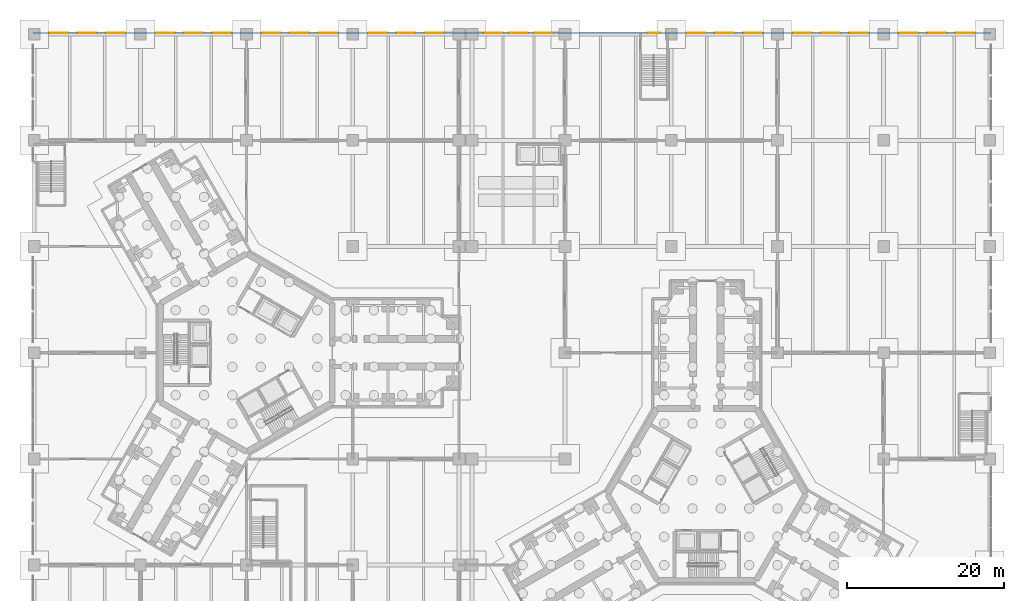
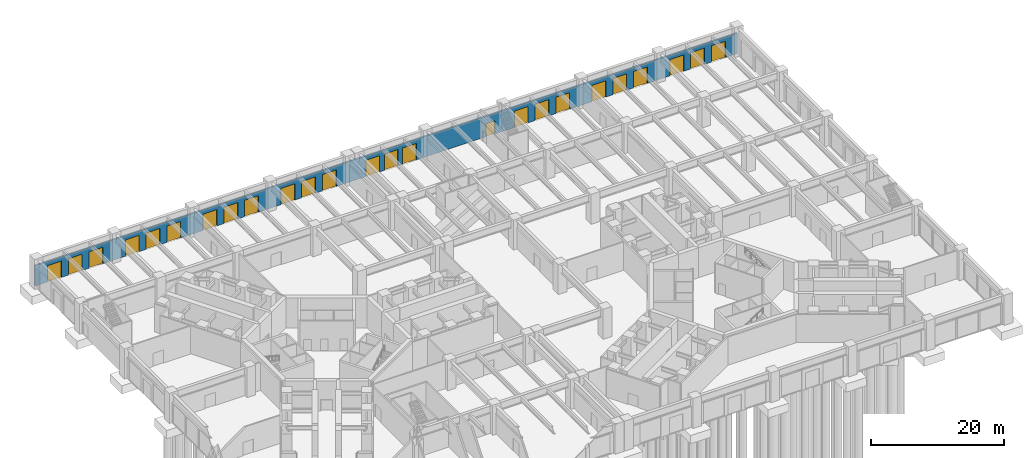
# One storey, part 14 of 18: 25 doors, 1 wall, 25 openings.
"""IFC4 building model written with IfcOpenShell, lengths in metres."""

from ifc_helpers import new_model, si_unit, direction, frame, frame_2d, origin, place, context, subcontext, project, spatial, rectangle, extrude, material, layer, layer_set, type_object, element, fill, save


model = new_model("IFC4")

# Units and contexts
model_context = context("Model", 3, precision=1e-05, world=origin(), true_north=direction((0.0, 1.0)))
body_context = subcontext(model_context, "Body", "Model", "MODEL_VIEW")
ifc_project = project(units=[si_unit("LENGTHUNIT", "METRE"), si_unit("AREAUNIT", "SQUARE_METRE"), si_unit("VOLUMEUNIT", "CUBIC_METRE"), si_unit("PLANEANGLEUNIT", "RADIAN"), si_unit("MASSUNIT", "GRAM", prefix="KILO")], contexts=[model_context])

# Site, building, storey
site_placement = place(None, origin())
site = spatial("IfcSite", under=ifc_project, at=site_placement, CompositionType="ELEMENT")
building_placement = place(site_placement, origin())
building = spatial("IfcBuilding", under=site, at=building_placement, Name="Upepo Twin Towers", CompositionType="ELEMENT")
storey_placement = place(building_placement, origin())
storey = spatial("IfcBuildingStorey", under=building, at=storey_placement, Name="L00", CompositionType="ELEMENT", Elevation=0.0)

# Wall, openings, doors
ifc_material_1 = material(Name="Blockwork with anodised aluminium cladding", Category="masonry")
ifc_layer = layer(ifc_material_1, 0.300048828125)
ifc_layer_set = layer_set([ifc_layer], Name="Podium street wall 300, pale metal")
wall_type = type_object("IfcWallType", Name="Podium street wall 300, pale metal", PredefinedType="STANDARD", material=ifc_layer_set)
wall_placement = place(storey_placement, frame((94.64990234375, 40.64990234375, 0.0), z_axis=(0.0, 0.0, 1.0), x_axis=(-1.0, 0.0, 0.0)))
wall = element("IfcWall", 1, at=wall_placement, inside=storey, type_object=wall_type, Name="Podium street wall N", PredefinedType="STANDARD", context=body_context, shape_type="SweptSolid", body=[
    extrude(rectangle(XDim=121.7998046875, YDim=0.300048828125, at=frame_2d((60.89990234375, 0.0))), origin(), (0.0, 0.0, 1.0), 3.75),
])
opening_1_placement = place(wall_placement, frame((42.050048828125, 0.0, 0.0)))
opening_1 = element("IfcOpeningElement", 2, at=opening_1_placement, cuts=wall, Name="Opening D16", PredefinedType="OPENING", context=body_context, shape_type="SweptSolid", body=[
    extrude(rectangle(XDim=1.60009765625, YDim=2.39990234375, at=frame_2d((0.800048828125, 1.199951171875))), frame((0.0, 0.159912109375, 0.0), z_axis=(0.0, -1.0, 0.0), x_axis=(1.0, 0.0, 0.0)), (0.0, 0.0, 1.0), 0.320068359375),
])
opening_2_placement = place(wall_placement, frame((2.10009765625, 0.0, 0.0)))
opening_2 = element("IfcOpeningElement", 3, at=opening_2_placement, cuts=wall, Name="Opening D7", PredefinedType="OPENING", context=body_context, shape_type="SweptSolid", body=[
    extrude(rectangle(XDim=2.39990234375, YDim=3.0, at=frame_2d((1.199951171875, 1.5))), frame((0.0, 0.159912109375, 0.0), z_axis=(0.0, -1.0, 0.0), x_axis=(1.0, 0.0, 0.0)), (0.0, 0.0, 1.0), 0.320068359375),
])
opening_3_placement = place(wall_placement, frame((5.699951171875, 0.0, 0.0)))
opening_3 = element("IfcOpeningElement", 4, at=opening_3_placement, cuts=wall, Name="Opening D7", PredefinedType="OPENING", context=body_context, shape_type="SweptSolid", body=[
    extrude(rectangle(XDim=2.39990234375, YDim=3.0, at=frame_2d((1.199951171875, 1.5))), frame((0.0, 0.159912109375, 0.0), z_axis=(0.0, -1.0, 0.0), x_axis=(1.0, 0.0, 0.0)), (0.0, 0.0, 1.0), 0.320068359375),
])
opening_4_placement = place(wall_placement, frame((9.300048828125, 0.0, 0.0)))
opening_4 = element("IfcOpeningElement", 5, at=opening_4_placement, cuts=wall, Name="Opening D7", PredefinedType="OPENING", context=body_context, shape_type="SweptSolid", body=[
    extrude(rectangle(XDim=2.39990234375, YDim=3.0, at=frame_2d((1.199951171875, 1.5))), frame((0.0, 0.159912109375, 0.0), z_axis=(0.0, -1.0, 0.0), x_axis=(1.0, 0.0, 0.0)), (0.0, 0.0, 1.0), 0.320068359375),
])
opening_5_placement = place(wall_placement, frame((15.60009765625, 0.0, 0.0)))
opening_5 = element("IfcOpeningElement", 6, at=opening_5_placement, cuts=wall, Name="Opening D7", PredefinedType="OPENING", context=body_context, shape_type="SweptSolid", body=[
    extrude(rectangle(XDim=2.39990234375, YDim=3.0, at=frame_2d((1.199951171875, 1.5))), frame((0.0, 0.159912109375, 0.0), z_axis=(0.0, -1.0, 0.0), x_axis=(1.0, 0.0, 0.0)), (0.0, 0.0, 1.0), 0.320068359375),
])
opening_6_placement = place(wall_placement, frame((19.199951171875, 0.0, 0.0)))
opening_6 = element("IfcOpeningElement", 7, at=opening_6_placement, cuts=wall, Name="Opening D7", PredefinedType="OPENING", context=body_context, shape_type="SweptSolid", body=[
    extrude(rectangle(XDim=2.39990234375, YDim=3.0, at=frame_2d((1.199951171875, 1.5))), frame((0.0, 0.159912109375, 0.0), z_axis=(0.0, -1.0, 0.0), x_axis=(1.0, 0.0, 0.0)), (0.0, 0.0, 1.0), 0.320068359375),
])
opening_7_placement = place(wall_placement, frame((22.800048828125, 0.0, 0.0)))
opening_7 = element("IfcOpeningElement", 8, at=opening_7_placement, cuts=wall, Name="Opening D7", PredefinedType="OPENING", context=body_context, shape_type="SweptSolid", body=[
    extrude(rectangle(XDim=2.39990234375, YDim=3.0, at=frame_2d((1.199951171875, 1.5))), frame((0.0, 0.159912109375, 0.0), z_axis=(0.0, -1.0, 0.0), x_axis=(1.0, 0.0, 0.0)), (0.0, 0.0, 1.0), 0.320068359375),
])
opening_8_placement = place(wall_placement, frame((29.10009765625, 0.0, 0.0)))
opening_8 = element("IfcOpeningElement", 9, at=opening_8_placement, cuts=wall, Name="Opening D7", PredefinedType="OPENING", context=body_context, shape_type="SweptSolid", body=[
    extrude(rectangle(XDim=2.39990234375, YDim=3.0, at=frame_2d((1.199951171875, 1.5))), frame((0.0, 0.159912109375, 0.0), z_axis=(0.0, -1.0, 0.0), x_axis=(1.0, 0.0, 0.0)), (0.0, 0.0, 1.0), 0.320068359375),
])
opening_9_placement = place(wall_placement, frame((32.699951171875, 0.0, 0.0)))
opening_9 = element("IfcOpeningElement", 10, at=opening_9_placement, cuts=wall, Name="Opening D7", PredefinedType="OPENING", context=body_context, shape_type="SweptSolid", body=[
    extrude(rectangle(XDim=2.39990234375, YDim=3.0, at=frame_2d((1.199951171875, 1.5))), frame((0.0, 0.159912109375, 0.0), z_axis=(0.0, -1.0, 0.0), x_axis=(1.0, 0.0, 0.0)), (0.0, 0.0, 1.0), 0.320068359375),
])
opening_10_placement = place(wall_placement, frame((36.300048828125, 0.0, 0.0)))
opening_10 = element("IfcOpeningElement", 11, at=opening_10_placement, cuts=wall, Name="Opening D7", PredefinedType="OPENING", context=body_context, shape_type="SweptSolid", body=[
    extrude(rectangle(XDim=2.39990234375, YDim=3.0, at=frame_2d((1.199951171875, 1.5))), frame((0.0, 0.159912109375, 0.0), z_axis=(0.0, -1.0, 0.0), x_axis=(1.0, 0.0, 0.0)), (0.0, 0.0, 1.0), 0.320068359375),
])
opening_11_placement = place(wall_placement, frame((55.6875, 0.0, 0.0)))
opening_11 = element("IfcOpeningElement", 12, at=opening_11_placement, cuts=wall, Name="Opening D7", PredefinedType="OPENING", context=body_context, shape_type="SweptSolid", body=[
    extrude(rectangle(XDim=2.39990234375, YDim=3.0, at=frame_2d((1.199951171875, 1.5))), frame((0.0, 0.159912109375, 0.0), z_axis=(0.0, -1.0, 0.0), x_axis=(1.0, 0.0, 0.0)), (0.0, 0.0, 1.0), 0.320068359375),
])
opening_12_placement = place(wall_placement, frame((58.875, 0.0, 0.0)))
opening_12 = element("IfcOpeningElement", 13, at=opening_12_placement, cuts=wall, Name="Opening D7", PredefinedType="OPENING", context=body_context, shape_type="SweptSolid", body=[
    extrude(rectangle(XDim=2.39990234375, YDim=3.0, at=frame_2d((1.199951171875, 1.5))), frame((0.0, 0.159912109375, 0.0), z_axis=(0.0, -1.0, 0.0), x_axis=(1.0, 0.0, 0.0)), (0.0, 0.0, 1.0), 0.320068359375),
])
opening_13_placement = place(wall_placement, frame((62.0625, 0.0, 0.0)))
opening_13 = element("IfcOpeningElement", 14, at=opening_13_placement, cuts=wall, Name="Opening D7", PredefinedType="OPENING", context=body_context, shape_type="SweptSolid", body=[
    extrude(rectangle(XDim=2.39990234375, YDim=3.0, at=frame_2d((1.199951171875, 1.5))), frame((0.0, 0.159912109375, 0.0), z_axis=(0.0, -1.0, 0.0), x_axis=(1.0, 0.0, 0.0)), (0.0, 0.0, 1.0), 0.320068359375),
])
opening_14_placement = place(wall_placement, frame((69.60009765625, 0.0, 0.0)))
opening_14 = element("IfcOpeningElement", 15, at=opening_14_placement, cuts=wall, Name="Opening D7", PredefinedType="OPENING", context=body_context, shape_type="SweptSolid", body=[
    extrude(rectangle(XDim=2.39990234375, YDim=3.0, at=frame_2d((1.199951171875, 1.5))), frame((0.0, 0.159912109375, 0.0), z_axis=(0.0, -1.0, 0.0), x_axis=(1.0, 0.0, 0.0)), (0.0, 0.0, 1.0), 0.320068359375),
])
opening_15_placement = place(wall_placement, frame((73.199951171875, 0.0, 0.0)))
opening_15 = element("IfcOpeningElement", 16, at=opening_15_placement, cuts=wall, Name="Opening D7", PredefinedType="OPENING", context=body_context, shape_type="SweptSolid", body=[
    extrude(rectangle(XDim=2.39990234375, YDim=3.0, at=frame_2d((1.199951171875, 1.5))), frame((0.0, 0.159912109375, 0.0), z_axis=(0.0, -1.0, 0.0), x_axis=(1.0, 0.0, 0.0)), (0.0, 0.0, 1.0), 0.320068359375),
])
opening_16_placement = place(wall_placement, frame((76.800048828125, 0.0, 0.0)))
opening_16 = element("IfcOpeningElement", 17, at=opening_16_placement, cuts=wall, Name="Opening D7", PredefinedType="OPENING", context=body_context, shape_type="SweptSolid", body=[
    extrude(rectangle(XDim=2.39990234375, YDim=3.0, at=frame_2d((1.199951171875, 1.5))), frame((0.0, 0.159912109375, 0.0), z_axis=(0.0, -1.0, 0.0), x_axis=(1.0, 0.0, 0.0)), (0.0, 0.0, 1.0), 0.320068359375),
])
opening_17_placement = place(wall_placement, frame((83.10009765625, 0.0, 0.0)))
opening_17 = element("IfcOpeningElement", 18, at=opening_17_placement, cuts=wall, Name="Opening D7", PredefinedType="OPENING", context=body_context, shape_type="SweptSolid", body=[
    extrude(rectangle(XDim=2.39990234375, YDim=3.0, at=frame_2d((1.199951171875, 1.5))), frame((0.0, 0.159912109375, 0.0), z_axis=(0.0, -1.0, 0.0), x_axis=(1.0, 0.0, 0.0)), (0.0, 0.0, 1.0), 0.320068359375),
])
opening_18_placement = place(wall_placement, frame((86.699951171875, 0.0, 0.0)))
opening_18 = element("IfcOpeningElement", 19, at=opening_18_placement, cuts=wall, Name="Opening D7", PredefinedType="OPENING", context=body_context, shape_type="SweptSolid", body=[
    extrude(rectangle(XDim=2.39990234375, YDim=3.0, at=frame_2d((1.199951171875, 1.5))), frame((0.0, 0.159912109375, 0.0), z_axis=(0.0, -1.0, 0.0), x_axis=(1.0, 0.0, 0.0)), (0.0, 0.0, 1.0), 0.320068359375),
])
opening_19_placement = place(wall_placement, frame((90.300048828125, 0.0, 0.0)))
opening_19 = element("IfcOpeningElement", 20, at=opening_19_placement, cuts=wall, Name="Opening D7", PredefinedType="OPENING", context=body_context, shape_type="SweptSolid", body=[
    extrude(rectangle(XDim=2.39990234375, YDim=3.0, at=frame_2d((1.199951171875, 1.5))), frame((0.0, 0.159912109375, 0.0), z_axis=(0.0, -1.0, 0.0), x_axis=(1.0, 0.0, 0.0)), (0.0, 0.0, 1.0), 0.320068359375),
])
opening_20_placement = place(wall_placement, frame((96.60009765625, 0.0, 0.0)))
opening_20 = element("IfcOpeningElement", 21, at=opening_20_placement, cuts=wall, Name="Opening D7", PredefinedType="OPENING", context=body_context, shape_type="SweptSolid", body=[
    extrude(rectangle(XDim=2.39990234375, YDim=3.0, at=frame_2d((1.199951171875, 1.5))), frame((0.0, 0.159912109375, 0.0), z_axis=(0.0, -1.0, 0.0), x_axis=(1.0, 0.0, 0.0)), (0.0, 0.0, 1.0), 0.320068359375),
])
opening_21_placement = place(wall_placement, frame((100.199951171875, 0.0, 0.0)))
opening_21 = element("IfcOpeningElement", 22, at=opening_21_placement, cuts=wall, Name="Opening D7", PredefinedType="OPENING", context=body_context, shape_type="SweptSolid", body=[
    extrude(rectangle(XDim=2.39990234375, YDim=3.0, at=frame_2d((1.199951171875, 1.5))), frame((0.0, 0.159912109375, 0.0), z_axis=(0.0, -1.0, 0.0), x_axis=(1.0, 0.0, 0.0)), (0.0, 0.0, 1.0), 0.320068359375),
])
opening_22_placement = place(wall_placement, frame((103.800048828125, 0.0, 0.0)))
opening_22 = element("IfcOpeningElement", 23, at=opening_22_placement, cuts=wall, Name="Opening D7", PredefinedType="OPENING", context=body_context, shape_type="SweptSolid", body=[
    extrude(rectangle(XDim=2.39990234375, YDim=3.0, at=frame_2d((1.199951171875, 1.5))), frame((0.0, 0.159912109375, 0.0), z_axis=(0.0, -1.0, 0.0), x_axis=(1.0, 0.0, 0.0)), (0.0, 0.0, 1.0), 0.320068359375),
])
opening_23_placement = place(wall_placement, frame((110.10009765625, 0.0, 0.0)))
opening_23 = element("IfcOpeningElement", 24, at=opening_23_placement, cuts=wall, Name="Opening D7", PredefinedType="OPENING", context=body_context, shape_type="SweptSolid", body=[
    extrude(rectangle(XDim=2.39990234375, YDim=3.0, at=frame_2d((1.199951171875, 1.5))), frame((0.0, 0.159912109375, 0.0), z_axis=(0.0, -1.0, 0.0), x_axis=(1.0, 0.0, 0.0)), (0.0, 0.0, 1.0), 0.320068359375),
])
opening_24_placement = place(wall_placement, frame((113.699951171875, 0.0, 0.0)))
opening_24 = element("IfcOpeningElement", 25, at=opening_24_placement, cuts=wall, Name="Opening D7", PredefinedType="OPENING", context=body_context, shape_type="SweptSolid", body=[
    extrude(rectangle(XDim=2.39990234375, YDim=3.0, at=frame_2d((1.199951171875, 1.5))), frame((0.0, 0.159912109375, 0.0), z_axis=(0.0, -1.0, 0.0), x_axis=(1.0, 0.0, 0.0)), (0.0, 0.0, 1.0), 0.320068359375),
])
opening_25_placement = place(wall_placement, frame((117.300048828125, 0.0, 0.0)))
opening_25 = element("IfcOpeningElement", 26, at=opening_25_placement, cuts=wall, Name="Opening D7", PredefinedType="OPENING", context=body_context, shape_type="SweptSolid", body=[
    extrude(rectangle(XDim=2.39990234375, YDim=3.0, at=frame_2d((1.199951171875, 1.5))), frame((0.0, 0.159912109375, 0.0), z_axis=(0.0, -1.0, 0.0), x_axis=(1.0, 0.0, 0.0)), (0.0, 0.0, 1.0), 0.320068359375),
])
ifc_material_2 = material(Name="Aluminium glazed doorset", Category="aluminium")
door_type_1 = type_object("IfcDoorType", Name="Entrance door 2400 glazed", OperationType="DOUBLE_DOOR_DOUBLE_SWING", PredefinedType="DOOR", material=ifc_material_2)
door_1_placement = place(opening_2_placement, origin())
door_1 = element("IfcDoor", 27, at=door_1_placement, inside=storey, type_object=door_type_1, Name="Entrance door N1.1", OperationType="DOUBLE_DOOR_DOUBLE_SWING", OverallHeight=3.0, OverallWidth=2.39990234375, PredefinedType="DOOR", context=body_context, shape_type="SweptSolid", body=[
    extrude(rectangle(XDim=2.39990234375, YDim=3.0, at=frame_2d((1.199951171875, 1.5))), frame((0.0, 0.02490234375, 0.0), z_axis=(0.0, -1.0, 0.0), x_axis=(1.0, 0.0, 0.0)), (0.0, 0.0, 1.0), 0.050048828125),
])
fill(opening_2, door_1)
door_2_placement = place(opening_3_placement, origin())
door_2 = element("IfcDoor", 28, at=door_2_placement, inside=storey, type_object=door_type_1, Name="Entrance door N1", OperationType="DOUBLE_DOOR_DOUBLE_SWING", OverallHeight=3.0, OverallWidth=2.39990234375, PredefinedType="DOOR", context=body_context, shape_type="SweptSolid", body=[
    extrude(rectangle(XDim=2.39990234375, YDim=3.0, at=frame_2d((1.199951171875, 1.5))), frame((0.0, 0.02490234375, 0.0), z_axis=(0.0, -1.0, 0.0), x_axis=(1.0, 0.0, 0.0)), (0.0, 0.0, 1.0), 0.050048828125),
])
fill(opening_3, door_2)
door_3_placement = place(opening_4_placement, origin())
door_3 = element("IfcDoor", 29, at=door_3_placement, inside=storey, type_object=door_type_1, Name="Entrance door N1.3", OperationType="DOUBLE_DOOR_DOUBLE_SWING", OverallHeight=3.0, OverallWidth=2.39990234375, PredefinedType="DOOR", context=body_context, shape_type="SweptSolid", body=[
    extrude(rectangle(XDim=2.39990234375, YDim=3.0, at=frame_2d((1.199951171875, 1.5))), frame((0.0, 0.02490234375, 0.0), z_axis=(0.0, -1.0, 0.0), x_axis=(1.0, 0.0, 0.0)), (0.0, 0.0, 1.0), 0.050048828125),
])
fill(opening_4, door_3)
door_4_placement = place(opening_5_placement, origin())
door_4 = element("IfcDoor", 30, at=door_4_placement, inside=storey, type_object=door_type_1, Name="Entrance door N2.1", OperationType="DOUBLE_DOOR_DOUBLE_SWING", OverallHeight=3.0, OverallWidth=2.39990234375, PredefinedType="DOOR", context=body_context, shape_type="SweptSolid", body=[
    extrude(rectangle(XDim=2.39990234375, YDim=3.0, at=frame_2d((1.199951171875, 1.5))), frame((0.0, 0.02490234375, 0.0), z_axis=(0.0, -1.0, 0.0), x_axis=(1.0, 0.0, 0.0)), (0.0, 0.0, 1.0), 0.050048828125),
])
fill(opening_5, door_4)
door_5_placement = place(opening_6_placement, origin())
door_5 = element("IfcDoor", 31, at=door_5_placement, inside=storey, type_object=door_type_1, Name="Entrance door N2", OperationType="DOUBLE_DOOR_DOUBLE_SWING", OverallHeight=3.0, OverallWidth=2.39990234375, PredefinedType="DOOR", context=body_context, shape_type="SweptSolid", body=[
    extrude(rectangle(XDim=2.39990234375, YDim=3.0, at=frame_2d((1.199951171875, 1.5))), frame((0.0, 0.02490234375, 0.0), z_axis=(0.0, -1.0, 0.0), x_axis=(1.0, 0.0, 0.0)), (0.0, 0.0, 1.0), 0.050048828125),
])
fill(opening_6, door_5)
door_6_placement = place(opening_7_placement, origin())
door_6 = element("IfcDoor", 32, at=door_6_placement, inside=storey, type_object=door_type_1, Name="Entrance door N2.3", OperationType="DOUBLE_DOOR_DOUBLE_SWING", OverallHeight=3.0, OverallWidth=2.39990234375, PredefinedType="DOOR", context=body_context, shape_type="SweptSolid", body=[
    extrude(rectangle(XDim=2.39990234375, YDim=3.0, at=frame_2d((1.199951171875, 1.5))), frame((0.0, 0.02490234375, 0.0), z_axis=(0.0, -1.0, 0.0), x_axis=(1.0, 0.0, 0.0)), (0.0, 0.0, 1.0), 0.050048828125),
])
fill(opening_7, door_6)
door_7_placement = place(opening_8_placement, origin())
door_7 = element("IfcDoor", 33, at=door_7_placement, inside=storey, type_object=door_type_1, Name="Entrance door N3.1", OperationType="DOUBLE_DOOR_DOUBLE_SWING", OverallHeight=3.0, OverallWidth=2.39990234375, PredefinedType="DOOR", context=body_context, shape_type="SweptSolid", body=[
    extrude(rectangle(XDim=2.39990234375, YDim=3.0, at=frame_2d((1.199951171875, 1.5))), frame((0.0, 0.02490234375, 0.0), z_axis=(0.0, -1.0, 0.0), x_axis=(1.0, 0.0, 0.0)), (0.0, 0.0, 1.0), 0.050048828125),
])
fill(opening_8, door_7)
door_8_placement = place(opening_9_placement, origin())
door_8 = element("IfcDoor", 34, at=door_8_placement, inside=storey, type_object=door_type_1, Name="Entrance door N3", OperationType="DOUBLE_DOOR_DOUBLE_SWING", OverallHeight=3.0, OverallWidth=2.39990234375, PredefinedType="DOOR", context=body_context, shape_type="SweptSolid", body=[
    extrude(rectangle(XDim=2.39990234375, YDim=3.0, at=frame_2d((1.199951171875, 1.5))), frame((0.0, 0.02490234375, 0.0), z_axis=(0.0, -1.0, 0.0), x_axis=(1.0, 0.0, 0.0)), (0.0, 0.0, 1.0), 0.050048828125),
])
fill(opening_9, door_8)
door_9_placement = place(opening_10_placement, origin())
door_9 = element("IfcDoor", 35, at=door_9_placement, inside=storey, type_object=door_type_1, Name="Entrance door N3.3", OperationType="DOUBLE_DOOR_DOUBLE_SWING", OverallHeight=3.0, OverallWidth=2.39990234375, PredefinedType="DOOR", context=body_context, shape_type="SweptSolid", body=[
    extrude(rectangle(XDim=2.39990234375, YDim=3.0, at=frame_2d((1.199951171875, 1.5))), frame((0.0, 0.02490234375, 0.0), z_axis=(0.0, -1.0, 0.0), x_axis=(1.0, 0.0, 0.0)), (0.0, 0.0, 1.0), 0.050048828125),
])
fill(opening_10, door_9)
door_10_placement = place(opening_11_placement, origin())
door_10 = element("IfcDoor", 36, at=door_10_placement, inside=storey, type_object=door_type_1, Name="Entrance door N5.1", OperationType="DOUBLE_DOOR_DOUBLE_SWING", OverallHeight=3.0, OverallWidth=2.39990234375, PredefinedType="DOOR", context=body_context, shape_type="SweptSolid", body=[
    extrude(rectangle(XDim=2.39990234375, YDim=3.0, at=frame_2d((1.199951171875, 1.5))), frame((0.0, 0.02490234375, 0.0), z_axis=(0.0, -1.0, 0.0), x_axis=(1.0, 0.0, 0.0)), (0.0, 0.0, 1.0), 0.050048828125),
])
fill(opening_11, door_10)
door_11_placement = place(opening_12_placement, origin())
door_11 = element("IfcDoor", 37, at=door_11_placement, inside=storey, type_object=door_type_1, Name="Entrance door N5", OperationType="DOUBLE_DOOR_DOUBLE_SWING", OverallHeight=3.0, OverallWidth=2.39990234375, PredefinedType="DOOR", context=body_context, shape_type="SweptSolid", body=[
    extrude(rectangle(XDim=2.39990234375, YDim=3.0, at=frame_2d((1.199951171875, 1.5))), frame((0.0, 0.02490234375, 0.0), z_axis=(0.0, -1.0, 0.0), x_axis=(1.0, 0.0, 0.0)), (0.0, 0.0, 1.0), 0.050048828125),
])
fill(opening_12, door_11)
door_12_placement = place(opening_13_placement, origin())
door_12 = element("IfcDoor", 38, at=door_12_placement, inside=storey, type_object=door_type_1, Name="Entrance door N5.3", OperationType="DOUBLE_DOOR_DOUBLE_SWING", OverallHeight=3.0, OverallWidth=2.39990234375, PredefinedType="DOOR", context=body_context, shape_type="SweptSolid", body=[
    extrude(rectangle(XDim=2.39990234375, YDim=3.0, at=frame_2d((1.199951171875, 1.5))), frame((0.0, 0.02490234375, 0.0), z_axis=(0.0, -1.0, 0.0), x_axis=(1.0, 0.0, 0.0)), (0.0, 0.0, 1.0), 0.050048828125),
])
fill(opening_13, door_12)
door_13_placement = place(opening_14_placement, origin())
door_13 = element("IfcDoor", 39, at=door_13_placement, inside=storey, type_object=door_type_1, Name="Entrance door N6.1", OperationType="DOUBLE_DOOR_DOUBLE_SWING", OverallHeight=3.0, OverallWidth=2.39990234375, PredefinedType="DOOR", context=body_context, shape_type="SweptSolid", body=[
    extrude(rectangle(XDim=2.39990234375, YDim=3.0, at=frame_2d((1.199951171875, 1.5))), frame((0.0, 0.02490234375, 0.0), z_axis=(0.0, -1.0, 0.0), x_axis=(1.0, 0.0, 0.0)), (0.0, 0.0, 1.0), 0.050048828125),
])
fill(opening_14, door_13)
door_14_placement = place(opening_15_placement, origin())
door_14 = element("IfcDoor", 40, at=door_14_placement, inside=storey, type_object=door_type_1, Name="Entrance door N6", OperationType="DOUBLE_DOOR_DOUBLE_SWING", OverallHeight=3.0, OverallWidth=2.39990234375, PredefinedType="DOOR", context=body_context, shape_type="SweptSolid", body=[
    extrude(rectangle(XDim=2.39990234375, YDim=3.0, at=frame_2d((1.199951171875, 1.5))), frame((0.0, 0.02490234375, 0.0), z_axis=(0.0, -1.0, 0.0), x_axis=(1.0, 0.0, 0.0)), (0.0, 0.0, 1.0), 0.050048828125),
])
fill(opening_15, door_14)
door_15_placement = place(opening_16_placement, origin())
door_15 = element("IfcDoor", 41, at=door_15_placement, inside=storey, type_object=door_type_1, Name="Entrance door N6.3", OperationType="DOUBLE_DOOR_DOUBLE_SWING", OverallHeight=3.0, OverallWidth=2.39990234375, PredefinedType="DOOR", context=body_context, shape_type="SweptSolid", body=[
    extrude(rectangle(XDim=2.39990234375, YDim=3.0, at=frame_2d((1.199951171875, 1.5))), frame((0.0, 0.02490234375, 0.0), z_axis=(0.0, -1.0, 0.0), x_axis=(1.0, 0.0, 0.0)), (0.0, 0.0, 1.0), 0.050048828125),
])
fill(opening_16, door_15)
door_16_placement = place(opening_17_placement, origin())
door_16 = element("IfcDoor", 42, at=door_16_placement, inside=storey, type_object=door_type_1, Name="Entrance door N7.1", OperationType="DOUBLE_DOOR_DOUBLE_SWING", OverallHeight=3.0, OverallWidth=2.39990234375, PredefinedType="DOOR", context=body_context, shape_type="SweptSolid", body=[
    extrude(rectangle(XDim=2.39990234375, YDim=3.0, at=frame_2d((1.199951171875, 1.5))), frame((0.0, 0.02490234375, 0.0), z_axis=(0.0, -1.0, 0.0), x_axis=(1.0, 0.0, 0.0)), (0.0, 0.0, 1.0), 0.050048828125),
])
fill(opening_17, door_16)
door_17_placement = place(opening_18_placement, origin())
door_17 = element("IfcDoor", 43, at=door_17_placement, inside=storey, type_object=door_type_1, Name="Entrance door N7", OperationType="DOUBLE_DOOR_DOUBLE_SWING", OverallHeight=3.0, OverallWidth=2.39990234375, PredefinedType="DOOR", context=body_context, shape_type="SweptSolid", body=[
    extrude(rectangle(XDim=2.39990234375, YDim=3.0, at=frame_2d((1.199951171875, 1.5))), frame((0.0, 0.02490234375, 0.0), z_axis=(0.0, -1.0, 0.0), x_axis=(1.0, 0.0, 0.0)), (0.0, 0.0, 1.0), 0.050048828125),
])
fill(opening_18, door_17)
door_18_placement = place(opening_19_placement, origin())
door_18 = element("IfcDoor", 44, at=door_18_placement, inside=storey, type_object=door_type_1, Name="Entrance door N7.3", OperationType="DOUBLE_DOOR_DOUBLE_SWING", OverallHeight=3.0, OverallWidth=2.39990234375, PredefinedType="DOOR", context=body_context, shape_type="SweptSolid", body=[
    extrude(rectangle(XDim=2.39990234375, YDim=3.0, at=frame_2d((1.199951171875, 1.5))), frame((0.0, 0.02490234375, 0.0), z_axis=(0.0, -1.0, 0.0), x_axis=(1.0, 0.0, 0.0)), (0.0, 0.0, 1.0), 0.050048828125),
])
fill(opening_19, door_18)
door_19_placement = place(opening_20_placement, origin())
door_19 = element("IfcDoor", 45, at=door_19_placement, inside=storey, type_object=door_type_1, Name="Entrance door N8.1", OperationType="DOUBLE_DOOR_DOUBLE_SWING", OverallHeight=3.0, OverallWidth=2.39990234375, PredefinedType="DOOR", context=body_context, shape_type="SweptSolid", body=[
    extrude(rectangle(XDim=2.39990234375, YDim=3.0, at=frame_2d((1.199951171875, 1.5))), frame((0.0, 0.02490234375, 0.0), z_axis=(0.0, -1.0, 0.0), x_axis=(1.0, 0.0, 0.0)), (0.0, 0.0, 1.0), 0.050048828125),
])
fill(opening_20, door_19)
door_20_placement = place(opening_21_placement, origin())
door_20 = element("IfcDoor", 46, at=door_20_placement, inside=storey, type_object=door_type_1, Name="Entrance door N8", OperationType="DOUBLE_DOOR_DOUBLE_SWING", OverallHeight=3.0, OverallWidth=2.39990234375, PredefinedType="DOOR", context=body_context, shape_type="SweptSolid", body=[
    extrude(rectangle(XDim=2.39990234375, YDim=3.0, at=frame_2d((1.199951171875, 1.5))), frame((0.0, 0.02490234375, 0.0), z_axis=(0.0, -1.0, 0.0), x_axis=(1.0, 0.0, 0.0)), (0.0, 0.0, 1.0), 0.050048828125),
])
fill(opening_21, door_20)
door_21_placement = place(opening_22_placement, origin())
door_21 = element("IfcDoor", 47, at=door_21_placement, inside=storey, type_object=door_type_1, Name="Entrance door N8.3", OperationType="DOUBLE_DOOR_DOUBLE_SWING", OverallHeight=3.0, OverallWidth=2.39990234375, PredefinedType="DOOR", context=body_context, shape_type="SweptSolid", body=[
    extrude(rectangle(XDim=2.39990234375, YDim=3.0, at=frame_2d((1.199951171875, 1.5))), frame((0.0, 0.02490234375, 0.0), z_axis=(0.0, -1.0, 0.0), x_axis=(1.0, 0.0, 0.0)), (0.0, 0.0, 1.0), 0.050048828125),
])
fill(opening_22, door_21)
door_22_placement = place(opening_23_placement, origin())
door_22 = element("IfcDoor", 48, at=door_22_placement, inside=storey, type_object=door_type_1, Name="Entrance door N9.1", OperationType="DOUBLE_DOOR_DOUBLE_SWING", OverallHeight=3.0, OverallWidth=2.39990234375, PredefinedType="DOOR", context=body_context, shape_type="SweptSolid", body=[
    extrude(rectangle(XDim=2.39990234375, YDim=3.0, at=frame_2d((1.199951171875, 1.5))), frame((0.0, 0.02490234375, 0.0), z_axis=(0.0, -1.0, 0.0), x_axis=(1.0, 0.0, 0.0)), (0.0, 0.0, 1.0), 0.050048828125),
])
fill(opening_23, door_22)
door_23_placement = place(opening_24_placement, origin())
door_23 = element("IfcDoor", 49, at=door_23_placement, inside=storey, type_object=door_type_1, Name="Entrance door N9", OperationType="DOUBLE_DOOR_DOUBLE_SWING", OverallHeight=3.0, OverallWidth=2.39990234375, PredefinedType="DOOR", context=body_context, shape_type="SweptSolid", body=[
    extrude(rectangle(XDim=2.39990234375, YDim=3.0, at=frame_2d((1.199951171875, 1.5))), frame((0.0, 0.02490234375, 0.0), z_axis=(0.0, -1.0, 0.0), x_axis=(1.0, 0.0, 0.0)), (0.0, 0.0, 1.0), 0.050048828125),
])
fill(opening_24, door_23)
door_24_placement = place(opening_25_placement, origin())
door_24 = element("IfcDoor", 50, at=door_24_placement, inside=storey, type_object=door_type_1, Name="Entrance door N9.3", OperationType="DOUBLE_DOOR_DOUBLE_SWING", OverallHeight=3.0, OverallWidth=2.39990234375, PredefinedType="DOOR", context=body_context, shape_type="SweptSolid", body=[
    extrude(rectangle(XDim=2.39990234375, YDim=3.0, at=frame_2d((1.199951171875, 1.5))), frame((0.0, 0.02490234375, 0.0), z_axis=(0.0, -1.0, 0.0), x_axis=(1.0, 0.0, 0.0)), (0.0, 0.0, 1.0), 0.050048828125),
])
fill(opening_25, door_24)
ifc_material_3 = material(Name="Aluminium glazed doorset", Category="aluminium")
door_type_2 = type_object("IfcDoorType", Name="Stair final exit door 1600, external", OperationType="DOUBLE_DOOR_DOUBLE_SWING", PredefinedType="DOOR", material=ifc_material_3)
door_25_placement = place(opening_1_placement, origin())
door_25 = element("IfcDoor", 51, at=door_25_placement, inside=storey, type_object=door_type_2, Name="Stair PS4 final exit door", OperationType="DOUBLE_DOOR_DOUBLE_SWING", OverallHeight=2.39990234375, OverallWidth=1.60009765625, PredefinedType="DOOR", context=body_context, shape_type="SweptSolid", body=[
    extrude(rectangle(XDim=1.60009765625, YDim=2.39990234375, at=frame_2d((0.800048828125, 1.199951171875))), frame((0.0, 0.02490234375, 0.0), z_axis=(0.0, -1.0, 0.0), x_axis=(1.0, 0.0, 0.0)), (0.0, 0.0, 1.0), 0.050048828125),
])
fill(opening_1, door_25)

save(model, "model.ifc")
